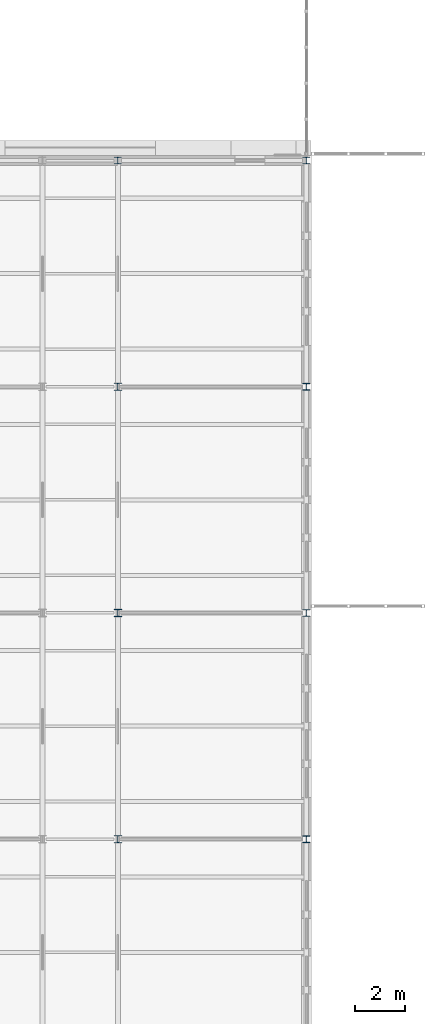
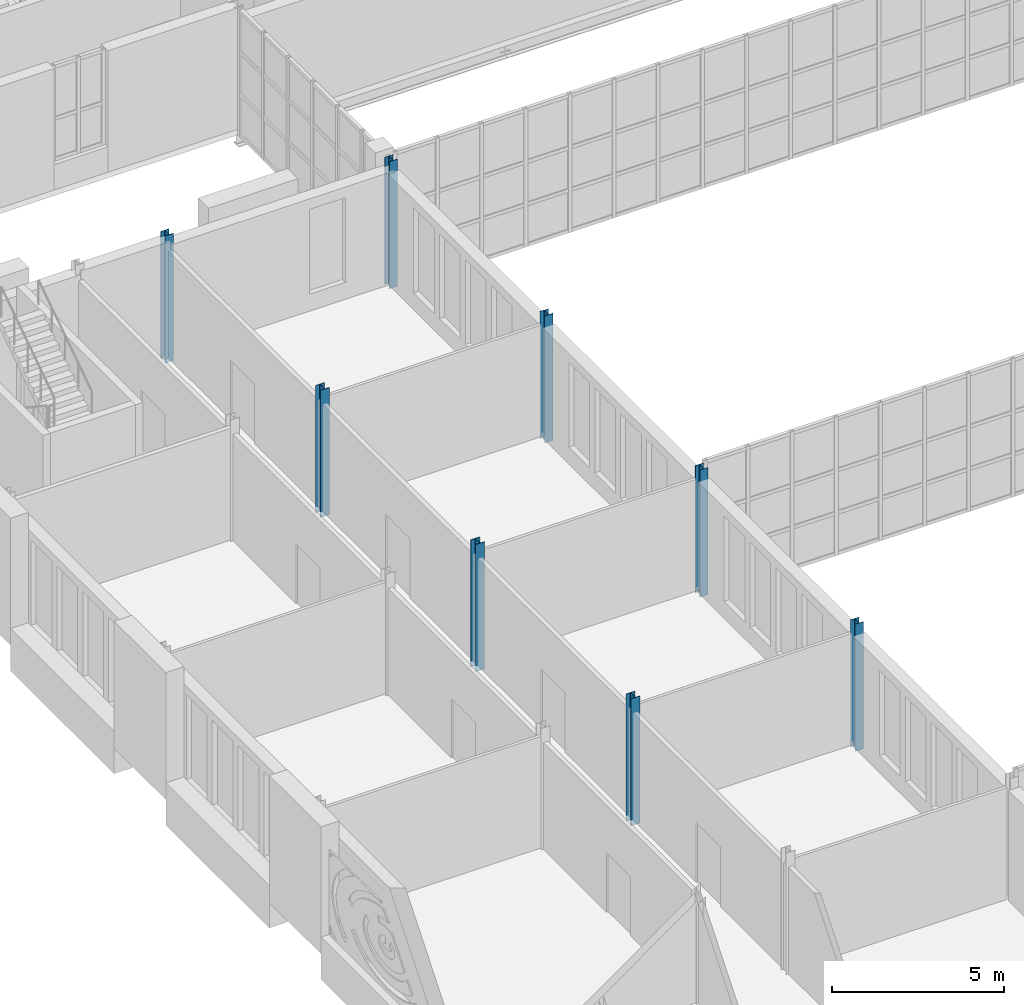
# One storey, part 7 of 134: 8 columns.
"""IFC4 building model written with IfcOpenShell, lengths in metres."""

from ifc_helpers import new_model, si_unit, direction, frame, origin, origin_2d, place, context, subcontext, project, spatial, i_section, extrude, material, material_profile, profile_set, type_object, element, save


model = new_model("IFC4")

# Units and contexts
model_context = context("Model", 3, precision=1e-05, world=origin(), true_north=direction((0.0, 1.0)))
body_context = subcontext(model_context, "Body", "Model", "MODEL_VIEW")
ifc_project = project(units=[si_unit("LENGTHUNIT", "METRE"), si_unit("AREAUNIT", "SQUARE_METRE"), si_unit("VOLUMEUNIT", "CUBIC_METRE"), si_unit("PLANEANGLEUNIT", "RADIAN"), si_unit("MASSUNIT", "GRAM", prefix="KILO")], contexts=[model_context])

# Site, building, storey
site_placement = place(None, origin())
site = spatial("IfcSite", under=ifc_project, at=site_placement, CompositionType="ELEMENT")
building_placement = place(site_placement, origin())
building = spatial("IfcBuilding", under=site, at=building_placement, Name="Golden Quay Civic Hall", CompositionType="ELEMENT")
storey_placement = place(building_placement, frame((0.0, 0.0, 5.39990234375)))
storey = spatial("IfcBuildingStorey", under=building, at=storey_placement, Name="L01", CompositionType="ELEMENT", Elevation=5.39990234375)

# Columns
ifc_material_1 = material(Name="Steel S355", Category="steel")
ifc_material_profile_1 = material_profile(ifc_material_1, i_section(OverallWidth=0.280029296875, OverallDepth=0.27001953125, WebThickness=0.008056640625, FlangeThickness=0.012939453125, FilletRadius=0.02392578125, at=origin_2d()), Name="HEA 280")
ifc_profile_set_1 = profile_set([ifc_material_profile_1], Name="Steel S355")
column_type_1 = type_object("IfcColumnType", Name="Steel column HEA 280", PredefinedType="COLUMN", material=ifc_profile_set_1)
for number, where, z_axis, x_axis, name in (
    (1, (64.5, 54.0, -0.199951171875), (0.0, 0.0, 1.0), (1.0, 0.0, 0.0), "Column 64.5/54 L01"),
    (2, (72.0, 27.0, -0.199951171875), (0.0, 0.0, 1.0), (1.0, 0.0, 0.0), "Column 72/27 L01"),
    (3, (72.0, 36.0, -0.199951171875), (0.0, 0.0, 1.0), (1.0, 0.0, 0.0), "Column 72/36 L01"),
    (4, (72.0, 45.0, -0.199951171875), (0.0, 0.0, 1.0), (1.0, 0.0, 0.0), "Column 72/45 L01"),
    (5, (72.0, 54.0, -0.199951171875), (0.0, 0.0, 1.0), (1.0, 0.0, 0.0), "Column 72/54 L01"),
):
    element("IfcColumn", number, at=place(storey_placement, frame(where, z_axis=z_axis, x_axis=x_axis)), inside=storey, type_object=column_type_1, Name=name, PredefinedType="COLUMN", context=body_context, shape_type="SweptSolid", body=[
        extrude(i_section(OverallWidth=0.280029296875, OverallDepth=0.27001953125, WebThickness=0.008056640625, FlangeThickness=0.012939453125, FilletRadius=0.02392578125, at=origin_2d()), origin(), (0.0, 0.0, 1.0), 4.5),
    ])
ifc_material_2 = material(Name="Steel S355", Category="steel")
ifc_material_profile_2 = material_profile(ifc_material_2, i_section(OverallWidth=0.300048828125, OverallDepth=0.2900390625, WebThickness=0.008544921875, FlangeThickness=0.013916015625, FilletRadius=0.027099609375, at=origin_2d()), Name="HEA 300")
ifc_profile_set_2 = profile_set([ifc_material_profile_2], Name="Steel S355")
column_type_2 = type_object("IfcColumnType", Name="Steel column HEA 300", PredefinedType="COLUMN", material=ifc_profile_set_2)
for number, where, z_axis, x_axis, name in (
    (6, (64.5, 27.0, -0.199951171875), (0.0, 0.0, 1.0), (1.0, 0.0, 0.0), "Column 64.5/27 L01"),
    (7, (64.5, 36.0, -0.199951171875), (0.0, 0.0, 1.0), (1.0, 0.0, 0.0), "Column 64.5/36 L01"),
    (8, (64.5, 45.0, -0.199951171875), (0.0, 0.0, 1.0), (1.0, 0.0, 0.0), "Column 64.5/45 L01"),
):
    element("IfcColumn", number, at=place(storey_placement, frame(where, z_axis=z_axis, x_axis=x_axis)), inside=storey, type_object=column_type_2, Name=name, PredefinedType="COLUMN", context=body_context, shape_type="SweptSolid", body=[
        extrude(i_section(OverallWidth=0.300048828125, OverallDepth=0.2900390625, WebThickness=0.008544921875, FlangeThickness=0.013916015625, FilletRadius=0.027099609375, at=origin_2d()), origin(), (0.0, 0.0, 1.0), 4.5),
    ])

save(model, "model.ifc")
